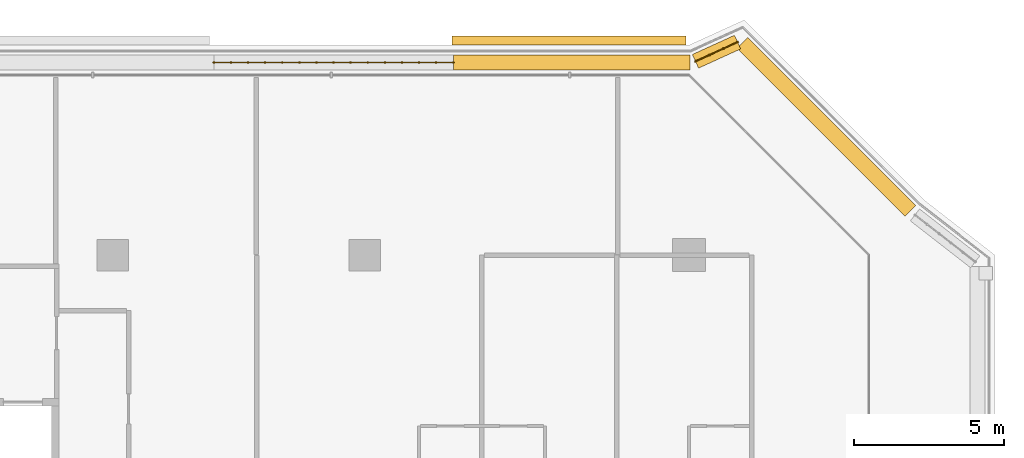
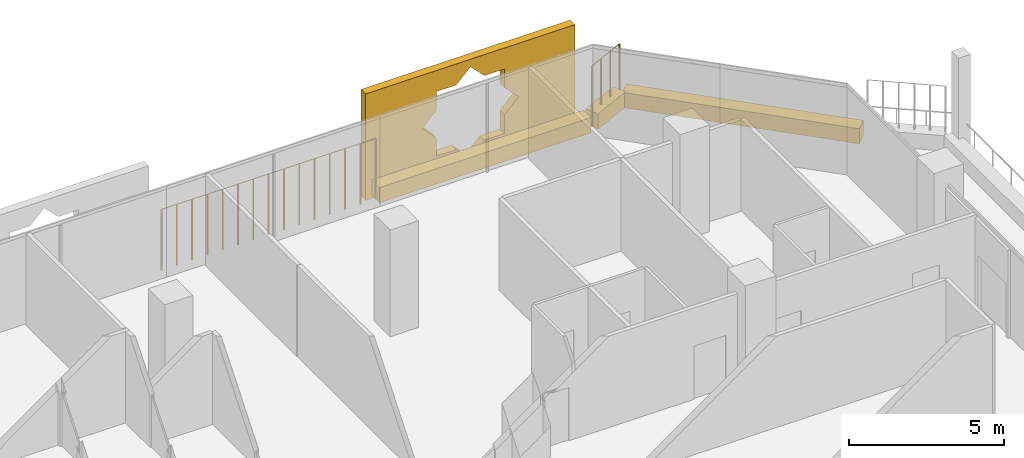
# One storey, part 25 of 25: 4 coverings, 2 railings.
"""IFC4 building model written with IfcOpenShell, lengths in metres."""

from ifc_helpers import new_model, si_unit, direction, frame, origin, origin_2d, place, context, subcontext, project, spatial, polyline, rectangle, circle, outline, extrude, material, material_profile, profile_set, type_object, element, save


model = new_model("IFC4")

# Units and contexts
model_context = context("Model", 3, precision=1e-05, world=origin(), true_north=direction((0.0, 1.0)))
body_context = subcontext(model_context, "Body", "Model", "MODEL_VIEW")
ifc_project = project(units=[si_unit("LENGTHUNIT", "METRE"), si_unit("AREAUNIT", "SQUARE_METRE"), si_unit("VOLUMEUNIT", "CUBIC_METRE"), si_unit("PLANEANGLEUNIT", "RADIAN"), si_unit("MASSUNIT", "GRAM", prefix="KILO")], contexts=[model_context])

# Site, building, storey
site_placement = place(None, origin())
site = spatial("IfcSite", under=ifc_project, at=site_placement, CompositionType="ELEMENT")
building_placement = place(site_placement, origin())
building = spatial("IfcBuilding", under=site, at=building_placement, Name="Kawkab Arch Medical Tower", CompositionType="ELEMENT")
storey_placement = place(building_placement, frame((0.0, 0.0, 140.800048828125)))
storey = spatial("IfcBuildingStorey", under=building, at=storey_placement, Name="L32", CompositionType="ELEMENT", Elevation=140.800048828125)

# Coverings
ifc_material_1 = material(Name="Bronze anodised aluminium mashrabiya panel, eight-point star pattern", Category="aluminium")
ifc_material_profile_1 = material_profile(ifc_material_1, outline(polyline([(-3.89990234375, -2.10009765625), (3.89990234375, -2.10009765625), (3.89990234375, 2.10009765625), (-3.89990234375, 2.10009765625), (-3.89990234375, -2.10009765625)]), holes=[polyline([(1.800048828125, 0.0), (1.272705078125, 0.527099609375), (1.272705078125, 1.272705078125), (0.527099609375, 1.272705078125), (0.0, 1.800048828125), (-0.527099609375, 1.272705078125), (-1.272705078125, 1.272705078125), (-1.272705078125, 0.527099609375), (-1.800048828125, 0.0), (-1.272705078125, -0.527099609375), (-1.272705078125, -1.272705078125), (-0.527099609375, -1.272705078125), (0.0, -1.800048828125), (0.527099609375, -1.272705078125), (1.272705078125, -1.272705078125), (1.272705078125, -0.527099609375), (1.800048828125, 0.0)])]), Name="Mashrabiya panel 7800x4200")
ifc_profile_set_1 = profile_set([ifc_material_profile_1], Name="Bronze anodised aluminium mashrabiya panel, eight-point star pattern")
covering_type_1 = type_object("IfcCoveringType", Name="Mashrabiya panel 7800 x 4200", PredefinedType="USERDEFINED", material=ifc_profile_set_1)
covering_1_placement = place(storey_placement, frame((65.60693359375, 7.0, 1.699951171875), z_axis=(0.0, 1.0, 0.0), x_axis=(-1.0, 0.0, 0.0)))
element("IfcCovering", 1, at=covering_1_placement, inside=storey, type_object=covering_type_1, Name="Mashrabiya panel L32.LOG-01-01.9", ObjectType="SCREEN", PredefinedType="USERDEFINED", context=body_context, shape_type="SweptSolid", body=[
    extrude(outline(polyline([(-3.89990234375, -2.10009765625), (3.89990234375, -2.10009765625), (3.89990234375, 2.10009765625), (-3.89990234375, 2.10009765625), (-3.89990234375, -2.10009765625)]), holes=[polyline([(1.800048828125, 0.0), (1.272705078125, 0.527099609375), (1.272705078125, 1.272705078125), (0.527099609375, 1.272705078125), (0.0, 1.800048828125), (-0.527099609375, 1.272705078125), (-1.272705078125, 1.272705078125), (-1.272705078125, 0.527099609375), (-1.800048828125, 0.0), (-1.272705078125, -0.527099609375), (-1.272705078125, -1.272705078125), (-0.527099609375, -1.272705078125), (0.0, -1.800048828125), (0.527099609375, -1.272705078125), (1.272705078125, -1.272705078125), (1.272705078125, -0.527099609375), (1.800048828125, 0.0)])]), origin(), (0.0, 0.0, 1.0), 0.300048828125),
])
ifc_material_2 = material(Name="Planting soil in a precast trough", Category="concrete")
ifc_material_profile_2 = material_profile(ifc_material_2, rectangle(XDim=0.5, YDim=0.60009765625, at=origin_2d()), Name="Trough 500x600")
ifc_profile_set_2 = profile_set([ifc_material_profile_2], Name="Planting soil in a precast trough")
covering_type_2 = type_object("IfcCoveringType", Name="Planter trough 500 x 600", PredefinedType="USERDEFINED", material=ifc_profile_set_2)
covering_2_placement = place(storey_placement, frame((61.743896484375, 6.419921875, 0.300048828125), z_axis=(1.0, 0.0, 0.0), x_axis=(0.0, 1.0, 0.0)))
element("IfcCovering", 2, at=covering_2_placement, inside=storey, type_object=covering_type_2, Name="Planter L32.LOG-01-01.24", ObjectType="PLANTER", PredefinedType="USERDEFINED", context=body_context, shape_type="SweptSolid", body=[
    extrude(rectangle(XDim=0.5, YDim=0.60009765625, at=origin_2d()), origin(), (0.0, 0.0, 1.0), 7.882080078125),
])
covering_3_placement = place(storey_placement, frame((69.81689453125, 6.4609375, 0.300048828125), z_axis=(0.909655525109, 0.415363486165, 0.0), x_axis=(-0.415363486165, 0.909655525109, 0.0)))
element("IfcCovering", 3, at=covering_3_placement, inside=storey, type_object=covering_type_2, Name="Planter L32.LOG-01-01.25", ObjectType="PLANTER", PredefinedType="USERDEFINED", context=body_context, shape_type="SweptSolid", body=[
    extrude(rectangle(XDim=0.5, YDim=0.60009765625, at=origin_2d()), origin(), (0.0, 0.0, 1.0), 1.54345703125),
])
covering_4_placement = place(storey_placement, frame((71.383056640625, 7.072998046875, 0.300048828125), z_axis=(0.707091367247, -0.70712219479, 0.0), x_axis=(0.70712219479, 0.707091367247, 0.0)))
element("IfcCovering", 4, at=covering_4_placement, inside=storey, type_object=covering_type_2, Name="Planter L32.LOG-01-01.26", ObjectType="PLANTER", PredefinedType="USERDEFINED", context=body_context, shape_type="SweptSolid", body=[
    extrude(rectangle(XDim=0.5, YDim=0.60009765625, at=origin_2d()), origin(), (0.0, 0.0, 1.0), 7.919677734375),
])

# Railings
ifc_material_3 = material(Name="Bronze anodised aluminium trellis for climbing plants", Category="aluminium")
railing_type = type_object("IfcRailingType", Name="Planting trellis 2400", PredefinedType="USERDEFINED", material=ifc_material_3)
railing_1_placement = place(storey_placement, frame((53.762939453125, 6.419921875, 0.0)))
element("IfcRailing", 5, at=railing_1_placement, inside=storey, type_object=railing_type, Name="Planting trellis L32.LOG-01-01.23", ObjectType="TRELLIS", PredefinedType="USERDEFINED", context=body_context, shape_type="SweptSolid", body=[
    extrude(circle(Radius=0.01513671875, at=origin_2d()), frame((0.0, 0.0, 2.384765625), z_axis=(1.0, 0.0, 0.0), x_axis=(0.0, 1.0, 0.0)), (0.0, 0.0, 1.0), 7.98095703125),
    extrude(circle(Radius=0.030029296875, at=origin_2d()), origin(), (0.0, 0.0, 1.0), 2.369873046875),
    extrude(circle(Radius=0.030029296875, at=origin_2d()), frame((0.570068359375, 0.0, 0.0)), (0.0, 0.0, 1.0), 2.369873046875),
    extrude(circle(Radius=0.030029296875, at=origin_2d()), frame((1.14013671875, 0.0, 0.0)), (0.0, 0.0, 1.0), 2.369873046875),
    extrude(circle(Radius=0.030029296875, at=origin_2d()), frame((1.710205078125, 0.0, 0.0)), (0.0, 0.0, 1.0), 2.369873046875),
    extrude(circle(Radius=0.030029296875, at=origin_2d()), frame((2.2802734375, 0.0, 0.0)), (0.0, 0.0, 1.0), 2.369873046875),
    extrude(circle(Radius=0.030029296875, at=origin_2d()), frame((2.850341796875, 0.0, 0.0)), (0.0, 0.0, 1.0), 2.369873046875),
    extrude(circle(Radius=0.030029296875, at=origin_2d()), frame((3.42041015625, 0.0, 0.0)), (0.0, 0.0, 1.0), 2.369873046875),
    extrude(circle(Radius=0.030029296875, at=origin_2d()), frame((3.990478515625, 0.0, 0.0)), (0.0, 0.0, 1.0), 2.369873046875),
    extrude(circle(Radius=0.030029296875, at=origin_2d()), frame((4.560546875, 0.0, 0.0)), (0.0, 0.0, 1.0), 2.369873046875),
    extrude(circle(Radius=0.030029296875, at=origin_2d()), frame((5.130615234375, 0.0, 0.0)), (0.0, 0.0, 1.0), 2.369873046875),
    extrude(circle(Radius=0.030029296875, at=origin_2d()), frame((5.70068359375, 0.0, 0.0)), (0.0, 0.0, 1.0), 2.369873046875),
    extrude(circle(Radius=0.030029296875, at=origin_2d()), frame((6.270751953125, 0.0, 0.0)), (0.0, 0.0, 1.0), 2.369873046875),
    extrude(circle(Radius=0.030029296875, at=origin_2d()), frame((6.8408203125, 0.0, 0.0)), (0.0, 0.0, 1.0), 2.369873046875),
    extrude(circle(Radius=0.030029296875, at=origin_2d()), frame((7.410888671875, 0.0, 0.0)), (0.0, 0.0, 1.0), 2.369873046875),
    extrude(circle(Radius=0.030029296875, at=origin_2d()), frame((7.98095703125, 0.0, 0.0)), (0.0, 0.0, 1.0), 2.369873046875),
])
railing_2_placement = place(storey_placement, frame((69.81689453125, 6.4609375, 0.0)))
element("IfcRailing", 6, at=railing_2_placement, inside=storey, type_object=railing_type, Name="Planting trellis L32.LOG-01-01.25", ObjectType="TRELLIS", PredefinedType="USERDEFINED", context=body_context, shape_type="SweptSolid", body=[
    extrude(circle(Radius=0.01513671875, at=origin_2d()), frame((0.0, 0.0, 2.384765625), z_axis=(0.909655525109, 0.415363486165, 0.0), x_axis=(-0.415363486165, 0.909655525109, 0.0)), (0.0, 0.0, 1.0), 1.54345703125),
    extrude(circle(Radius=0.030029296875, at=origin_2d()), origin(), (0.0, 0.0, 1.0), 2.369873046875),
    extrude(circle(Radius=0.030029296875, at=origin_2d()), frame((0.468017578125, 0.213623046875, 0.0)), (0.0, 0.0, 1.0), 2.369873046875),
    extrude(circle(Radius=0.030029296875, at=origin_2d()), frame((0.93603515625, 0.427490234375, 0.0)), (0.0, 0.0, 1.0), 2.369873046875),
    extrude(circle(Radius=0.030029296875, at=origin_2d()), frame((1.404052734375, 0.64111328125, 0.0)), (0.0, 0.0, 1.0), 2.369873046875),
])

save(model, "model.ifc")
